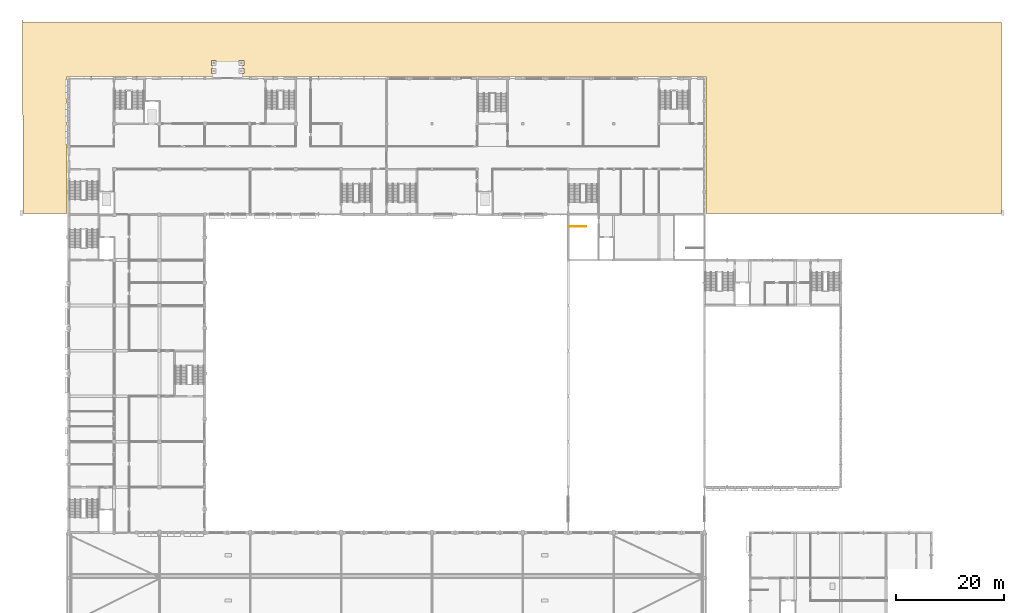
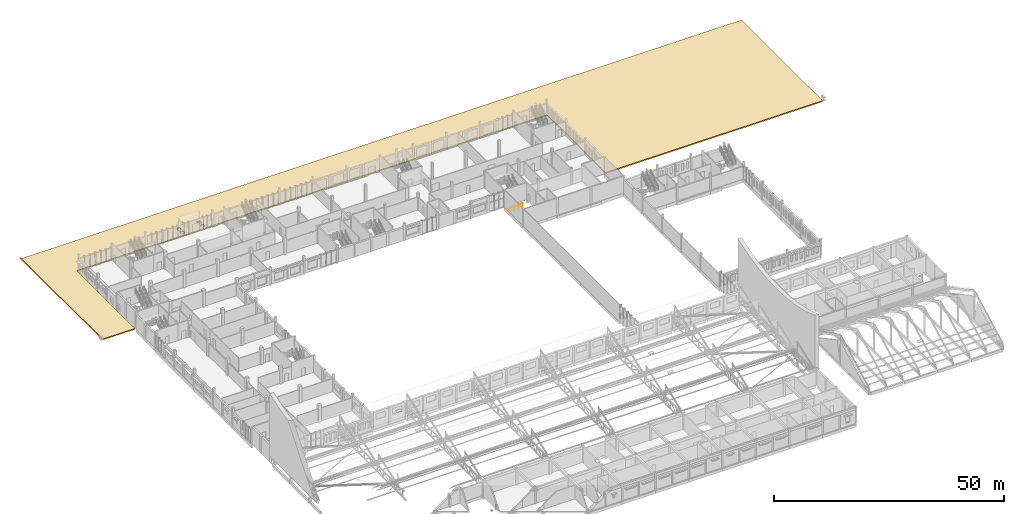
# One storey, part 97 of 101: 1 covering, 1 railing.
"""IFC4 building model written with IfcOpenShell, lengths in metres."""

from ifc_helpers import new_model, si_unit, direction, frame, origin, origin_2d, place, context, subcontext, project, spatial, polyline, circle, outline, extrude, material, layer, layer_set, type_object, element, save


model = new_model("IFC4")

# Units and contexts
model_context = context("Model", 3, precision=1e-05, world=origin(), true_north=direction((0.0, 1.0)))
body_context = subcontext(model_context, "Body", "Model", "MODEL_VIEW")
ifc_project = project(units=[si_unit("LENGTHUNIT", "METRE"), si_unit("AREAUNIT", "SQUARE_METRE"), si_unit("VOLUMEUNIT", "CUBIC_METRE"), si_unit("PLANEANGLEUNIT", "RADIAN"), si_unit("MASSUNIT", "GRAM", prefix="KILO")], contexts=[model_context])

# Site, building, storey
site_placement = place(None, origin())
site = spatial("IfcSite", under=ifc_project, at=site_placement, CompositionType="ELEMENT")
building_placement = place(site_placement, origin())
building = spatial("IfcBuilding", under=site, at=building_placement, Name="Fescue Hill Polytechnic", CompositionType="ELEMENT")
storey_placement = place(building_placement, frame((0.0, 0.0, 9.0)))
storey = spatial("IfcBuildingStorey", under=building, at=storey_placement, Name="L02", CompositionType="ELEMENT", Elevation=9.0)

# Railing
ifc_material_1 = material(Name="Steel 350W (350 MPa)", Category="steel")
railing_type = type_object("IfcRailingType", Name="Stair guard steel 1100", PredefinedType="GUARDRAIL", material=ifc_material_1)
railing_placement = place(storey_placement, frame((92.550048828125, 106.97509765625, 0.0)))
element("IfcRailing", 1, at=railing_placement, inside=storey, type_object=railing_type, Name="L02 ST-V6-1 well guard 1", PredefinedType="GUARDRAIL", context=body_context, shape_type="SweptSolid", body=[
    extrude(circle(Radius=0.02392578125, at=origin_2d()), frame((0.0, 0.0, 1.076171875), z_axis=(1.0, 0.0, 0.0), x_axis=(0.0, 1.0, 0.0)), (0.0, 0.0, 1.0), 3.175048828125),
    extrude(circle(Radius=0.02099609375, at=origin_2d()), origin(), (0.0, 0.0, 1.0), 1.052001953125),
    extrude(circle(Radius=0.02099609375, at=origin_2d()), frame((1.058349609375, 0.0, 0.0)), (0.0, 0.0, 1.0), 1.052001953125),
    extrude(circle(Radius=0.02099609375, at=origin_2d()), frame((2.11669921875, 0.0, 0.0)), (0.0, 0.0, 1.0), 1.052001953125),
    extrude(circle(Radius=0.02099609375, at=origin_2d()), frame((3.175048828125, 0.0, 0.0)), (0.0, 0.0, 1.0), 1.052001953125),
])

# Covering
ifc_material_2 = material(Name="Paving and gravel")
ifc_layer = layer(ifc_material_2, 0.300048828125)
ifc_layer_set = layer_set([ifc_layer], Name="Paving and gravel")
covering_type = type_object("IfcCoveringType", Name="Terrace paving and gravel 300", PredefinedType="FLOORING", material=ifc_layer_set)
covering_placement = place(storey_placement, frame((0.0, 0.0, -0.300048828125)))
element("IfcCovering", 2, at=covering_placement, inside=storey, type_object=covering_type, Name="Upper plaza paving", PredefinedType="FLOORING", context=body_context, shape_type="SweptSolid", body=[
    extrude(outline(polyline([(172.492919921875, 144.693115234375), (172.492919921875, 109.375), (117.89990234375, 109.375), (117.89990234375, 134.699951171875), (-0.300048828125, 134.699951171875), (-0.300048828125, 109.375), (-8.39306640625, 109.375), (-8.39306640625, 127.596435546875), (-8.492919921875, 127.596435546875), (-8.492919921875, 145.18994140625), (-8.39306640625, 145.18994140625), (-8.39306640625, 144.693115234375), (172.492919921875, 144.693115234375)]), holes=[polyline([(32.39990234375, 135.31005859375), (32.39990234375, 136.2099609375), (31.5, 136.2099609375), (31.5, 135.31005859375), (32.39990234375, 135.31005859375)]), polyline([(32.39990234375, 136.81005859375), (32.39990234375, 137.7099609375), (31.5, 137.7099609375), (31.5, 136.81005859375), (32.39990234375, 136.81005859375)]), polyline([(27.300048828125, 136.81005859375), (27.300048828125, 137.7099609375), (26.39990234375, 137.7099609375), (26.39990234375, 136.81005859375), (27.300048828125, 136.81005859375)]), polyline([(27.300048828125, 136.2099609375), (26.39990234375, 136.2099609375), (26.39990234375, 135.31005859375), (27.300048828125, 135.31005859375), (27.300048828125, 136.2099609375)])]), origin(), (0.0, 0.0, 1.0), 0.300048828125),
])

save(model, "model.ifc")
